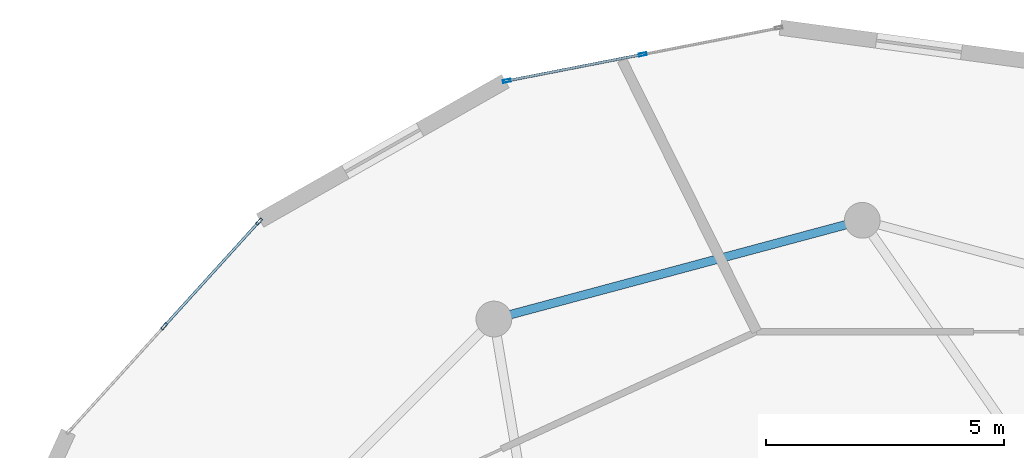
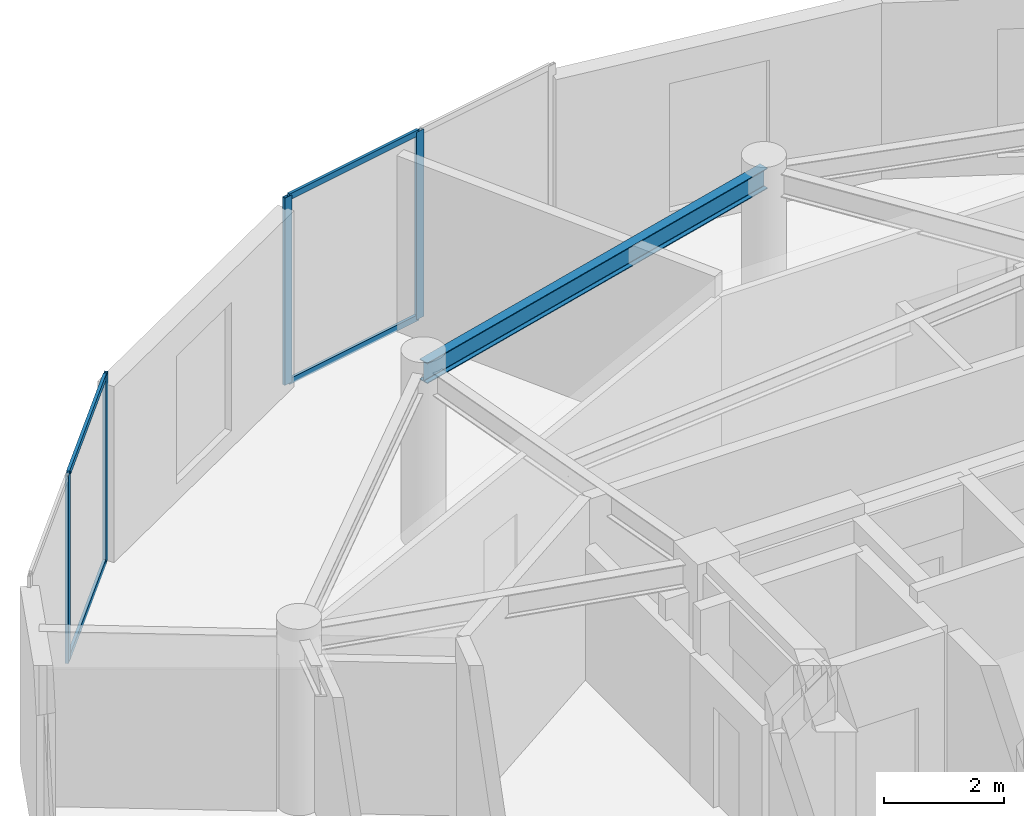
# One storey, part 11 of 18: 8 members, 1 beam, 2 elements without a shape of their own.
"""IFC4 building model written with IfcOpenShell, lengths in metres."""

from ifc_helpers import new_model, si_unit, direction, frame, origin, origin_2d, place, context, subcontext, project, spatial, hollow_rectangle, i_section, extrude, source, transform, mapped, material, layer, layer_set, material_profile, profile_set, type_object, element, aggregate, save


model = new_model("IFC4")

# Units and contexts
model_context = context("Model", 3, precision=1e-05, world=origin(), true_north=direction((0.0, 1.0)))
body_context = subcontext(model_context, "Body", "Model", "MODEL_VIEW")
ifc_project = project(units=[si_unit("LENGTHUNIT", "METRE"), si_unit("AREAUNIT", "SQUARE_METRE"), si_unit("VOLUMEUNIT", "CUBIC_METRE"), si_unit("PLANEANGLEUNIT", "RADIAN"), si_unit("MASSUNIT", "GRAM", prefix="KILO")], contexts=[model_context])

# Site, building, storey
site_placement = place(None, origin())
site = spatial("IfcSite", under=ifc_project, at=site_placement, CompositionType="ELEMENT")
building_placement = place(site_placement, origin())
building = spatial("IfcBuilding", under=site, at=building_placement, Name="Solvirekh Grand Hotel", CompositionType="ELEMENT")
storey_placement = place(building_placement, frame((0.0, 0.0, 274.39990234375)))
storey = spatial("IfcBuildingStorey", under=building, at=storey_placement, Name="L71", CompositionType="ELEMENT", Elevation=274.39990234375)

# Beam
ifc_material_1 = material(Name="Steel S355", Category="steel")
ifc_material_profile_1 = material_profile(ifc_material_1, i_section(OverallWidth=0.180908203125, OverallDepth=0.4169921875, WebThickness=0.010009765625, FlangeThickness=0.01611328125, FilletRadius=0.011962890625, at=origin_2d()), Name="W410X85")
ifc_profile_set_1 = profile_set([ifc_material_profile_1], Name="Steel S355")
beam_type = type_object("IfcBeamType", Name="Spandrel_Ring_W410", PredefinedType="SPANDREL", material=ifc_profile_set_1)
beam_placement = place(storey_placement, frame((0.0, 15.449951171875, 3.362060546875), z_axis=(-0.965921616143, -0.258834757072, 0.0), x_axis=(0.258834757072, -0.965921616143, 0.0)))
element("IfcBeam", 1, at=beam_placement, inside=storey, type_object=beam_type, Name="L71 perimeter spandrel beam 4", PredefinedType="SPANDREL", context=body_context, shape_type="SweptSolid", body=[
    extrude(i_section(OverallWidth=0.180908203125, OverallDepth=0.4169921875, WebThickness=0.010009765625, FlangeThickness=0.01611328125, FilletRadius=0.011962890625, at=origin_2d()), origin(), (0.0, 0.0, 1.0), 7.99755859375),
])

# Curtain wall, members
ifc_material_2 = material(Name="Anodized Bronze Aluminium 6063-T6", Category="aluminium")
ifc_layer = layer(ifc_material_2, 0.159912109375)
ifc_layer_set = layer_set([ifc_layer], Name="Anodized Bronze Aluminium 6063-T6")
curtain_wall_type = type_object("IfcCurtainWallType", Name="CW_Sys4_HighZoneFlushBronzeCW", PredefinedType="NOTDEFINED", material=ifc_layer_set)
curtain_wall_1_placement = place(storey_placement, origin())
curtain_wall_1 = element("IfcCurtainWall", 2, at=curtain_wall_1_placement, inside=storey, type_object=curtain_wall_type, Name="L71 unitised bronze-glass curtain wall CW-L71-C11", PredefinedType="NOTDEFINED")
ifc_material_profile_2 = material_profile(ifc_material_2, hollow_rectangle(XDim=0.06005859375, YDim=0.159912109375, WallThickness=0.0048828125, at=origin_2d()), Name="ALU RHS 160X60X5")
ifc_profile_set_2 = profile_set([ifc_material_profile_2], Name="Anodized Bronze Aluminium 6063-T6")
member_type_1 = type_object("IfcMemberType", Name="CWMullion_Sys4", PredefinedType="MULLION", material=ifc_profile_set_2)
shared_shape_1 = source(origin(), body_context, "Body", "SweptSolid", [
    extrude(hollow_rectangle(XDim=0.06005859375, YDim=0.159912109375, WallThickness=0.0048828125, at=origin_2d()), origin(), (0.0, 0.0, 1.0), 3.800048828125),
])
member_1_placement = place(storey_placement, frame((-4.603515625, 18.929931640625, 0.0), z_axis=(0.0, 0.0, 1.0), x_axis=(0.191430326936, -0.981506204733, 0.0)))
member_1 = element("IfcMember", 3, at=member_1_placement, type_object=member_type_1, Name="U04 mullion 2", PredefinedType="MULLION", context=body_context, shape_type="MappedRepresentation", body=[
    mapped(shared_shape_1, transform((0.0, 0.0, 0.0), x_axis=(1.0, 0.0, 0.0), y_axis=(0.0, 1.0, 0.0), z_axis=(0.0, 0.0, 1.0), scale=1.0)),
])
member_2_placement = place(storey_placement, frame((-7.45556640625, 18.373779296875, 0.0), z_axis=(0.0, 0.0, 1.0), x_axis=(0.191430326936, -0.981506204733, 0.0)))
member_2 = element("IfcMember", 4, at=member_2_placement, type_object=member_type_1, Name="U04 mullion 3", PredefinedType="MULLION", context=body_context, shape_type="MappedRepresentation", body=[
    mapped(shared_shape_1, transform((0.0, 0.0, 0.0), x_axis=(1.0, 0.0, 0.0), y_axis=(0.0, 1.0, 0.0), z_axis=(0.0, 0.0, 1.0), scale=1.0)),
])

curtain_wall_2_placement = place(storey_placement, origin())
curtain_wall_2 = element("IfcCurtainWall", 5, at=curtain_wall_2_placement, inside=storey, type_object=curtain_wall_type, Name="L71 unitised bronze-glass curtain wall CW-L71-C13", PredefinedType="NOTDEFINED")
member_3_placement = place(storey_placement, frame((-12.649169921875, 15.423828125, 0.0), z_axis=(0.0, 0.0, 1.0), x_axis=(0.740846639177, -0.671674219559, 0.0)))
member_3 = element("IfcMember", 6, at=member_3_placement, type_object=member_type_1, Name="U04 mullion 1", PredefinedType="MULLION", context=body_context, shape_type="MappedRepresentation", body=[
    mapped(shared_shape_1, transform((0.0, 0.0, 0.0), x_axis=(1.0, 0.0, 0.0), y_axis=(0.0, 1.0, 0.0), z_axis=(0.0, 0.0, 1.0), scale=1.0)),
])
member_4_placement = place(storey_placement, frame((-14.638916015625, 13.22900390625, 0.0), z_axis=(0.0, 0.0, 1.0), x_axis=(0.740846639177, -0.671674219559, 0.0)))
member_4 = element("IfcMember", 7, at=member_4_placement, type_object=member_type_1, Name="U04 mullion 2", PredefinedType="MULLION", context=body_context, shape_type="MappedRepresentation", body=[
    mapped(shared_shape_1, transform((0.0, 0.0, 0.0), x_axis=(1.0, 0.0, 0.0), y_axis=(0.0, 1.0, 0.0), z_axis=(0.0, 0.0, 1.0), scale=1.0)),
])
ifc_material_profile_3 = material_profile(ifc_material_2, hollow_rectangle(XDim=0.054931640625, YDim=0.1201171875, WallThickness=0.00390625, at=origin_2d()), Name="ALU RHS 120X55X4")
ifc_profile_set_3 = profile_set([ifc_material_profile_3], Name="Anodized Bronze Aluminium 6063-T6")
member_type_2 = type_object("IfcMemberType", Name="CWTransom_Sys4", PredefinedType="USERDEFINED", material=ifc_profile_set_3)
shared_shape_2 = source(origin(), body_context, "Body", "SweptSolid", [
    extrude(hollow_rectangle(XDim=0.054931640625, YDim=0.1201171875, WallThickness=0.00390625, at=origin_2d()), origin(), (0.0, 0.0, 1.0), 2.902587890625),
])
member_5_placement = place(storey_placement, frame((-12.669189453125, 15.401611328125, 0.027587890625), z_axis=(-0.671692584765, -0.740829988305, 0.0), x_axis=(0.740829988305, -0.671692584765, 0.0)))
member_5 = element("IfcMember", 8, at=member_5_placement, type_object=member_type_2, Name="U04 transom 1.1", ObjectType="TRANSOM", PredefinedType="USERDEFINED", context=body_context, shape_type="MappedRepresentation", body=[
    mapped(shared_shape_2, transform((0.0, 0.0, 0.0), x_axis=(1.0, 0.0, 0.0), y_axis=(0.0, 1.0, 0.0), z_axis=(0.0, 0.0, 1.0), scale=1.0)),
])
member_6_placement = place(storey_placement, frame((-12.669189453125, 15.401611328125, 3.772705078125), z_axis=(-0.671692584765, -0.740829988305, 0.0), x_axis=(0.740829988305, -0.671692584765, 0.0)))
member_6 = element("IfcMember", 9, at=member_6_placement, type_object=member_type_2, Name="U04 transom 1.2", ObjectType="TRANSOM", PredefinedType="USERDEFINED", context=body_context, shape_type="MappedRepresentation", body=[
    mapped(shared_shape_2, transform((0.0, 0.0, 0.0), x_axis=(1.0, 0.0, 0.0), y_axis=(0.0, 1.0, 0.0), z_axis=(0.0, 0.0, 1.0), scale=1.0)),
])
aggregate(curtain_wall_2, [member_3, member_4, member_5, member_6])

# Member
shared_shape_3 = source(origin(), body_context, "Body", "SweptSolid", [
    extrude(hollow_rectangle(XDim=0.054931640625, YDim=0.1201171875, WallThickness=0.00390625, at=origin_2d()), origin(), (0.0, 0.0, 1.0), 2.845703125),
])
member_7_placement = place(storey_placement, frame((-4.633056640625, 18.92431640625, 0.027587890625), z_axis=(-0.981493738526, -0.191494232901, 0.0), x_axis=(0.191494232901, -0.981493738526, 0.0)))
member_7 = element("IfcMember", 10, at=member_7_placement, type_object=member_type_2, Name="U04 transom 2.1", ObjectType="TRANSOM", PredefinedType="USERDEFINED", context=body_context, shape_type="MappedRepresentation", body=[
    mapped(shared_shape_3, transform((0.0, 0.0, 0.0), x_axis=(1.0, 0.0, 0.0), y_axis=(0.0, 1.0, 0.0), z_axis=(0.0, 0.0, 1.0), scale=1.0)),
])

member_8_placement = place(storey_placement, frame((-4.633056640625, 18.92431640625, 3.772705078125), z_axis=(-0.981493738526, -0.191494232901, 0.0), x_axis=(0.191494232901, -0.981493738526, 0.0)))
member_8 = element("IfcMember", 11, at=member_8_placement, type_object=member_type_2, Name="U04 transom 2.2", ObjectType="TRANSOM", PredefinedType="USERDEFINED", context=body_context, shape_type="MappedRepresentation", body=[
    mapped(shared_shape_3, transform((0.0, 0.0, 0.0), x_axis=(1.0, 0.0, 0.0), y_axis=(0.0, 1.0, 0.0), z_axis=(0.0, 0.0, 1.0), scale=1.0)),
])

aggregate(curtain_wall_1, [member_1, member_2, member_7, member_8])

save(model, "model.ifc")
